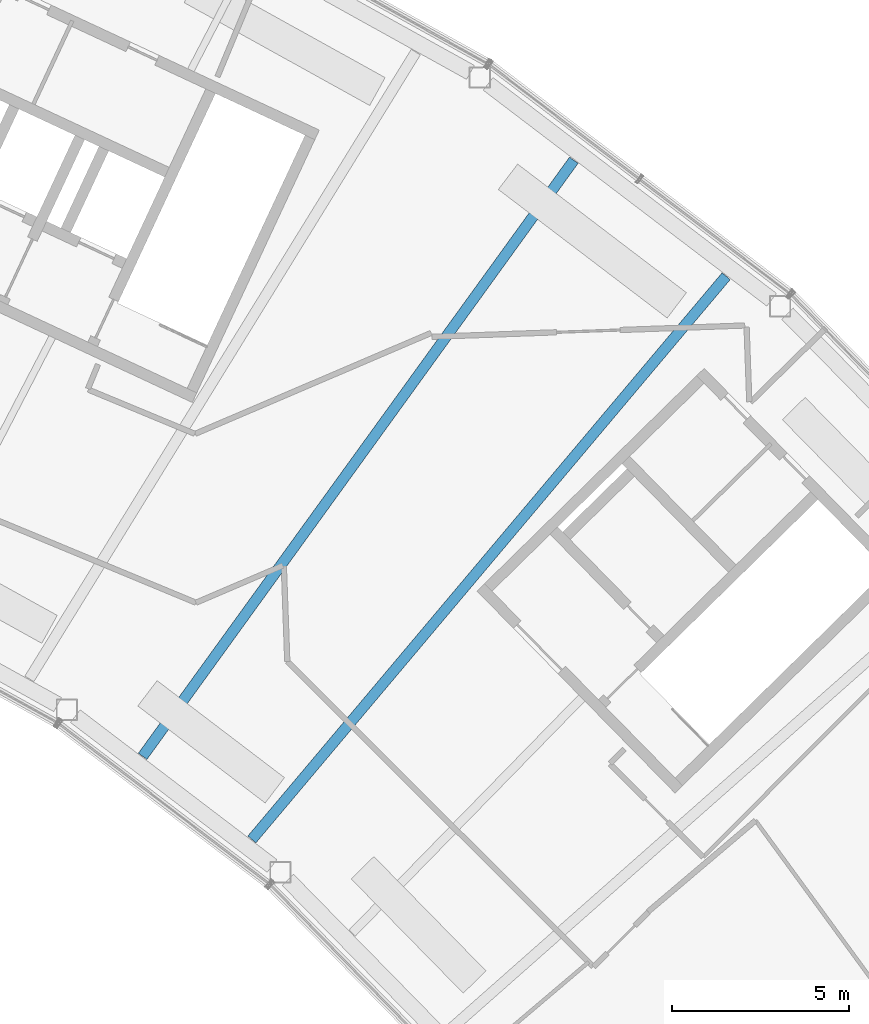
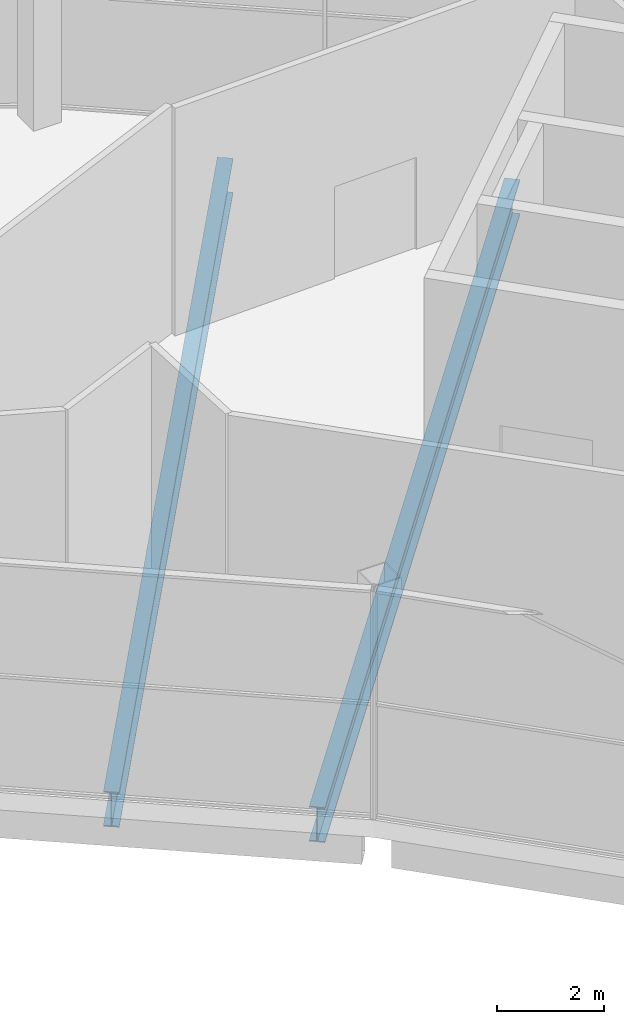
# One storey, part 26 of 44: 2 beams.
"""IFC4 building model written with IfcOpenShell, lengths in metres."""

from ifc_helpers import new_model, si_unit, direction, frame, origin, origin_2d, place, context, subcontext, project, spatial, i_section, extrude, material, material_profile, profile_set, type_object, element, save


model = new_model("IFC4")

# Units and contexts
model_context = context("Model", 3, precision=1e-05, world=origin(), true_north=direction((0.0, 1.0)))
body_context = subcontext(model_context, "Body", "Model", "MODEL_VIEW")
ifc_project = project(units=[si_unit("LENGTHUNIT", "METRE"), si_unit("AREAUNIT", "SQUARE_METRE"), si_unit("VOLUMEUNIT", "CUBIC_METRE"), si_unit("PLANEANGLEUNIT", "RADIAN"), si_unit("MASSUNIT", "GRAM", prefix="KILO")], contexts=[model_context])

# Site, building, storey
site_placement = place(None, origin())
site = spatial("IfcSite", under=ifc_project, at=site_placement, CompositionType="ELEMENT")
building_placement = place(site_placement, origin())
building = spatial("IfcBuilding", under=site, at=building_placement, Name="Tuul Gate Civic Tower", CompositionType="ELEMENT")
storey_placement = place(building_placement, frame((0.0, 0.0, 354.60009765625)))
storey = spatial("IfcBuildingStorey", under=building, at=storey_placement, Name="Observation level 2", CompositionType="ELEMENT", Elevation=354.60009765625)

# Beams
ifc_material = material(Name="Steel S355", Category="steel")
ifc_material_profile = material_profile(ifc_material, i_section(OverallWidth=0.300048828125, OverallDepth=0.800048828125, WebThickness=0.013916015625, FlangeThickness=0.02490234375, at=origin_2d()), Name="PG800x300x14x25")
ifc_profile_set = profile_set([ifc_material_profile], Name="Steel S355")
beam_type = type_object("IfcBeamType", Name="STR-FLOOR BEAM-PG800x300x14x25", PredefinedType="BEAM", material=ifc_profile_set)
beam_1_placement = place(storey_placement, frame((36.14990234375, -19.74462890625, -0.800048828125), z_axis=(0.644135745783, 0.764911198117, 0.0), x_axis=(-0.764911198117, 0.644135745783, 0.0)))
element("IfcBeam", 1, at=beam_1_placement, inside=storey, type_object=beam_type, Name="Floor beam", PredefinedType="BEAM", context=body_context, shape_type="SweptSolid", body=[
    extrude(i_section(OverallWidth=0.300048828125, OverallDepth=0.800048828125, WebThickness=0.013916015625, FlangeThickness=0.02490234375, at=origin_2d()), origin(), (0.0, 0.0, 1.0), 20.824951171875),
])
beam_2_placement = place(storey_placement, frame((33.061767578125, -17.393310546875, -0.800048828125), z_axis=(0.586073074744, 0.810258200242, 0.0), x_axis=(-0.810258200242, 0.586073074744, 0.0)))
element("IfcBeam", 2, at=beam_2_placement, inside=storey, type_object=beam_type, Name="Floor beam", PredefinedType="BEAM", context=body_context, shape_type="SweptSolid", body=[
    extrude(i_section(OverallWidth=0.300048828125, OverallDepth=0.800048828125, WebThickness=0.013916015625, FlangeThickness=0.02490234375, at=origin_2d()), origin(), (0.0, 0.0, 1.0), 20.8056640625),
])

save(model, "model.ifc")
